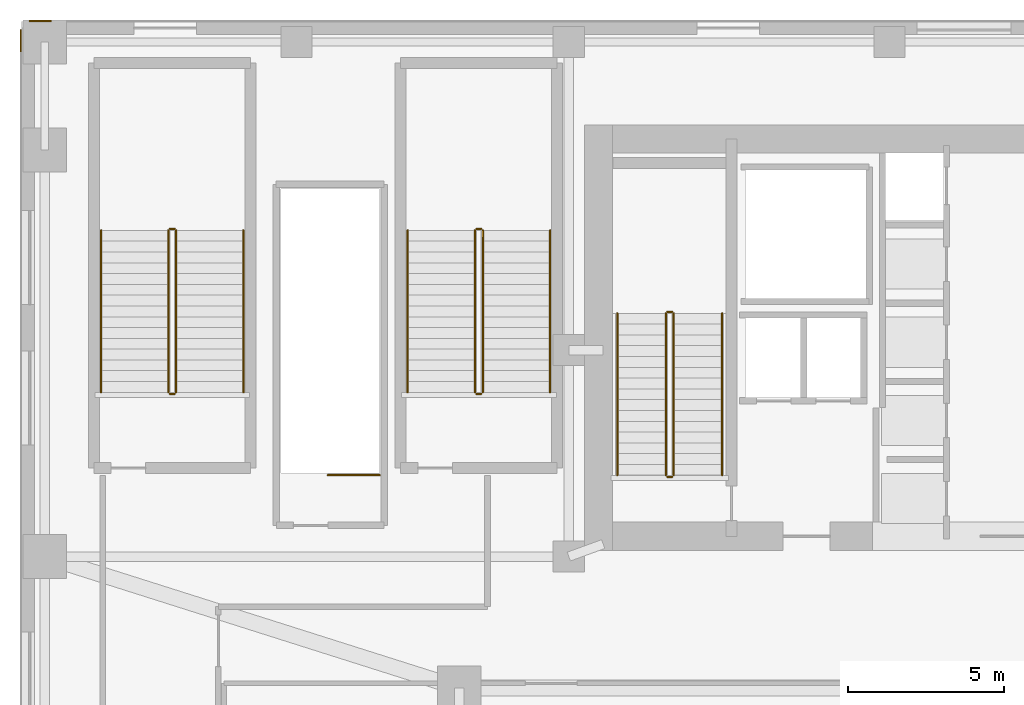
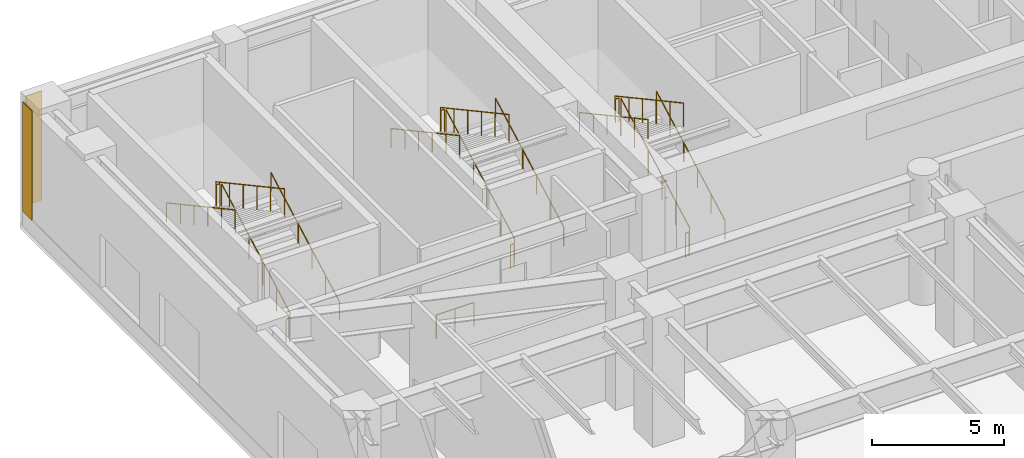
# One storey, part 24 of 28: 19 railings, 2 coverings.
"""IFC4 building model written with IfcOpenShell, lengths in metres."""

from ifc_helpers import new_model, si_unit, direction, frame, origin, origin_2d, place, context, subcontext, project, spatial, polyline, circle, outline, extrude, material, layer, layer_set, type_object, element, save


model = new_model("IFC4")

# Units and contexts
model_context = context("Model", 3, precision=1e-05, world=origin(), true_north=direction((0.0, 1.0)))
body_context = subcontext(model_context, "Body", "Model", "MODEL_VIEW")
ifc_project = project(units=[si_unit("LENGTHUNIT", "METRE"), si_unit("AREAUNIT", "SQUARE_METRE"), si_unit("VOLUMEUNIT", "CUBIC_METRE"), si_unit("PLANEANGLEUNIT", "RADIAN"), si_unit("MASSUNIT", "GRAM", prefix="KILO")], contexts=[model_context])

# Site, building, storey
site_placement = place(None, origin())
site = spatial("IfcSite", under=ifc_project, at=site_placement, CompositionType="ELEMENT")
building_placement = place(site_placement, origin())
building = spatial("IfcBuilding", under=site, at=building_placement, Name="Tolvann Quenvar Hotel", CompositionType="ELEMENT")
storey_placement = place(building_placement, origin())
storey = spatial("IfcBuildingStorey", under=building, at=storey_placement, Name="L00", CompositionType="ELEMENT", Elevation=0.0)

# Coverings
ifc_material_1 = material(Name="Kiln-fired red architectural face brick cladding", Category="masonry")
ifc_layer = layer(ifc_material_1, 0.0400390625)
ifc_layer_set = layer_set([ifc_layer], Name="Kiln-fired red architectural face brick cladding")
covering_type = type_object("IfcCoveringType", Name="COV_CLAD_BRICK_40", PredefinedType="CLADDING", material=ifc_layer_set)
covering_1_placement = place(storey_placement, frame((0.0, 0.0, 0.699951171875)))
element("IfcCovering", 1, at=covering_1_placement, inside=storey, type_object=covering_type, Name="Brick Pier Cladding (L00-E06-P2)", PredefinedType="CLADDING", context=body_context, shape_type="SweptSolid", body=[
    extrude(outline(polyline([(-7.43994140625, 48.5), (-8.139892578125, 48.5), (-8.139892578125, 48.5400390625), (-7.43994140625, 48.5400390625), (-7.43994140625, 48.5)])), origin(), (0.0, 0.0, 1.0), 5.0400390625),
])
covering_2_placement = place(storey_placement, frame((0.0, 0.0, 0.699951171875)))
element("IfcCovering", 2, at=covering_2_placement, inside=storey, type_object=covering_type, Name="Brick Pier Cladding (L00-E07-P1)", PredefinedType="CLADDING", context=body_context, shape_type="SweptSolid", body=[
    extrude(outline(polyline([(-8.39990234375, 48.239990234375), (-8.39990234375, 47.5400390625), (-8.43994140625, 47.5400390625), (-8.43994140625, 48.239990234375), (-8.39990234375, 48.239990234375)])), origin(), (0.0, 0.0, 1.0), 5.0400390625),
])

# Railings
ifc_material_2 = material(Name="Brushed 316 stainless steel balustrade and handrail", Category="steel")
railing_type_1 = type_object("IfcRailingType", Name="GUARDRAIL", PredefinedType="GUARDRAIL", material=ifc_material_2)
railing_1_placement = place(storey_placement, frame((3.050048828125, 34.0, 0.0)))
element("IfcRailing", 3, at=railing_1_placement, inside=storey, type_object=railing_type_1, Name="L00 ST-B1 top well guard 1", PredefinedType="GUARDRAIL", context=body_context, shape_type="SweptSolid", body=[
    extrude(circle(Radius=0.02392578125, at=origin_2d()), frame((0.0, 0.0, 1.09619140625), z_axis=(-1.0, 0.0, 0.0), x_axis=(0.0, -1.0, 0.0)), (0.0, 0.0, 1.0), 1.650146484375),
    extrude(circle(Radius=0.02099609375, at=origin_2d()), origin(), (0.0, 0.0, 1.0), 1.072021484375),
    extrude(circle(Radius=0.02099609375, at=origin_2d()), frame((-0.8251953125, 0.0, 0.0)), (0.0, 0.0, 1.0), 1.072021484375),
    extrude(circle(Radius=0.02099609375, at=origin_2d()), frame((-1.650146484375, 0.0, 0.0)), (0.0, 0.0, 1.0), 1.072021484375),
])
railing_2_placement = place(storey_placement, frame((12.449951171875, 34.0, 0.1875)))
element("IfcRailing", 4, at=railing_2_placement, inside=storey, type_object=railing_type_1, Name="L00 ST-C1 stair guard 1", PredefinedType="GUARDRAIL", context=body_context, shape_type="SweptSolid", body=[
    extrude(circle(Radius=0.02392578125, at=origin_2d()), frame((0.0, 0.0, 1.09619140625), z_axis=(0.0, 0.878626399866, 0.477509842263), x_axis=(-1.0, 0.0, 0.0)), (0.0, 0.0, 1.0), 5.889892578125),
    extrude(circle(Radius=0.02099609375, at=origin_2d()), origin(), (0.0, 0.0, 1.0), 1.072021484375),
    extrude(circle(Radius=0.02099609375, at=origin_2d()), frame((0.0, 1.034912109375, 0.5625)), (0.0, 0.0, 1.0), 1.072021484375),
    extrude(circle(Radius=0.02099609375, at=origin_2d()), frame((0.0, 2.070068359375, 1.125)), (0.0, 0.0, 1.0), 1.072021484375),
    extrude(circle(Radius=0.02099609375, at=origin_2d()), frame((0.0, 3.10498046875, 1.6875)), (0.0, 0.0, 1.0), 1.072021484375),
    extrude(circle(Radius=0.02099609375, at=origin_2d()), frame((0.0, 4.14013671875, 2.25)), (0.0, 0.0, 1.0), 1.072021484375),
    extrude(circle(Radius=0.02099609375, at=origin_2d()), frame((0.0, 5.175048828125, 2.8125)), (0.0, 0.0, 1.0), 1.072021484375),
])
railing_3_placement = place(storey_placement, frame((12.39990234375, 39.22509765625, 3.0)))
element("IfcRailing", 5, at=railing_3_placement, inside=storey, type_object=railing_type_1, Name="L00 ST-C1 stair guard 2", PredefinedType="GUARDRAIL", context=body_context, shape_type="SweptSolid", body=[
    extrude(circle(Radius=0.02392578125, at=origin_2d()), frame((0.0, 0.0, 1.09619140625), z_axis=(-1.0, 0.0, 0.0), x_axis=(0.0, -1.0, 0.0)), (0.0, 0.0, 1.0), 0.14990234375),
    extrude(circle(Radius=0.02099609375, at=origin_2d()), origin(), (0.0, 0.0, 1.0), 1.072021484375),
    extrude(circle(Radius=0.02099609375, at=origin_2d()), frame((-0.14990234375, 0.0, 0.0)), (0.0, 0.0, 1.0), 1.072021484375),
])
railing_4_placement = place(storey_placement, frame((12.199951171875, 39.175048828125, 3.1875)))
element("IfcRailing", 6, at=railing_4_placement, inside=storey, type_object=railing_type_1, Name="L00 ST-C1 stair guard 3", PredefinedType="GUARDRAIL", context=body_context, shape_type="SweptSolid", body=[
    extrude(circle(Radius=0.02392578125, at=origin_2d()), frame((0.0, 0.0, 1.09619140625), z_axis=(0.0, -0.878626399866, 0.477509842263), x_axis=(1.0, 0.0, 0.0)), (0.0, 0.0, 1.0), 5.889892578125),
    extrude(circle(Radius=0.02099609375, at=origin_2d()), origin(), (0.0, 0.0, 1.0), 1.072021484375),
    extrude(circle(Radius=0.02099609375, at=origin_2d()), frame((0.0, -1.034912109375, 0.5625)), (0.0, 0.0, 1.0), 1.072021484375),
    extrude(circle(Radius=0.02099609375, at=origin_2d()), frame((0.0, -2.070068359375, 1.125)), (0.0, 0.0, 1.0), 1.072021484375),
    extrude(circle(Radius=0.02099609375, at=origin_2d()), frame((0.0, -3.10498046875, 1.6875)), (0.0, 0.0, 1.0), 1.072021484375),
    extrude(circle(Radius=0.02099609375, at=origin_2d()), frame((0.0, -4.14013671875, 2.25)), (0.0, 0.0, 1.0), 1.072021484375),
    extrude(circle(Radius=0.02099609375, at=origin_2d()), frame((0.0, -5.175048828125, 2.8125)), (0.0, 0.0, 1.0), 1.072021484375),
])
railing_5_placement = place(storey_placement, frame((12.39990234375, 33.949951171875, 0.0)))
element("IfcRailing", 7, at=railing_5_placement, inside=storey, type_object=railing_type_1, Name="L00 ST-C1 stair guard 4", PredefinedType="GUARDRAIL", context=body_context, shape_type="SweptSolid", body=[
    extrude(circle(Radius=0.02392578125, at=origin_2d()), frame((0.0, 0.0, 1.09619140625), z_axis=(-1.0, 0.0, 0.0), x_axis=(0.0, -1.0, 0.0)), (0.0, 0.0, 1.0), 0.14990234375),
    extrude(circle(Radius=0.02099609375, at=origin_2d()), origin(), (0.0, 0.0, 1.0), 1.072021484375),
    extrude(circle(Radius=0.02099609375, at=origin_2d()), frame((-0.14990234375, 0.0, 0.0)), (0.0, 0.0, 1.0), 1.072021484375),
])
railing_6_placement = place(storey_placement, frame((-3.449951171875, 36.64990234375, 0.1875)))
element("IfcRailing", 8, at=railing_6_placement, inside=storey, type_object=railing_type_1, Name="L00 ST-P1 stair guard 1", PredefinedType="GUARDRAIL", context=body_context, shape_type="SweptSolid", body=[
    extrude(circle(Radius=0.02392578125, at=origin_2d()), frame((0.0, 0.0, 1.09619140625), z_axis=(0.0, 0.878626399866, 0.477509842263), x_axis=(-1.0, 0.0, 0.0)), (0.0, 0.0, 1.0), 5.889892578125),
    extrude(circle(Radius=0.02099609375, at=origin_2d()), origin(), (0.0, 0.0, 1.0), 1.072021484375),
    extrude(circle(Radius=0.02099609375, at=origin_2d()), frame((0.0, 1.034912109375, 0.5625)), (0.0, 0.0, 1.0), 1.072021484375),
    extrude(circle(Radius=0.02099609375, at=origin_2d()), frame((0.0, 2.070068359375, 1.125)), (0.0, 0.0, 1.0), 1.072021484375),
    extrude(circle(Radius=0.02099609375, at=origin_2d()), frame((0.0, 3.10498046875, 1.6875)), (0.0, 0.0, 1.0), 1.072021484375),
    extrude(circle(Radius=0.02099609375, at=origin_2d()), frame((0.0, 4.14013671875, 2.25)), (0.0, 0.0, 1.0), 1.072021484375),
    extrude(circle(Radius=0.02099609375, at=origin_2d()), frame((0.0, 5.175048828125, 2.8125)), (0.0, 0.0, 1.0), 1.072021484375),
])
railing_7_placement = place(storey_placement, frame((-3.5, 41.875, 3.0)))
element("IfcRailing", 9, at=railing_7_placement, inside=storey, type_object=railing_type_1, Name="L00 ST-P1 stair guard 2", PredefinedType="GUARDRAIL", context=body_context, shape_type="SweptSolid", body=[
    extrude(circle(Radius=0.02392578125, at=origin_2d()), frame((0.0, 0.0, 1.09619140625), z_axis=(-1.0, 0.0, 0.0), x_axis=(0.0, -1.0, 0.0)), (0.0, 0.0, 1.0), 0.14990234375),
    extrude(circle(Radius=0.02099609375, at=origin_2d()), origin(), (0.0, 0.0, 1.0), 1.072021484375),
    extrude(circle(Radius=0.02099609375, at=origin_2d()), frame((-0.14990234375, 0.0, 0.0)), (0.0, 0.0, 1.0), 1.072021484375),
])
railing_8_placement = place(storey_placement, frame((-3.699951171875, 41.824951171875, 3.1875)))
element("IfcRailing", 10, at=railing_8_placement, inside=storey, type_object=railing_type_1, Name="L00 ST-P1 stair guard 3", PredefinedType="GUARDRAIL", context=body_context, shape_type="SweptSolid", body=[
    extrude(circle(Radius=0.02392578125, at=origin_2d()), frame((0.0, 0.0, 1.09619140625), z_axis=(0.0, -0.878626399866, 0.477509842263), x_axis=(1.0, 0.0, 0.0)), (0.0, 0.0, 1.0), 5.889892578125),
    extrude(circle(Radius=0.02099609375, at=origin_2d()), origin(), (0.0, 0.0, 1.0), 1.072021484375),
    extrude(circle(Radius=0.02099609375, at=origin_2d()), frame((0.0, -1.034912109375, 0.5625)), (0.0, 0.0, 1.0), 1.072021484375),
    extrude(circle(Radius=0.02099609375, at=origin_2d()), frame((0.0, -2.070068359375, 1.125)), (0.0, 0.0, 1.0), 1.072021484375),
    extrude(circle(Radius=0.02099609375, at=origin_2d()), frame((0.0, -3.10498046875, 1.6875)), (0.0, 0.0, 1.0), 1.072021484375),
    extrude(circle(Radius=0.02099609375, at=origin_2d()), frame((0.0, -4.14013671875, 2.25)), (0.0, 0.0, 1.0), 1.072021484375),
    extrude(circle(Radius=0.02099609375, at=origin_2d()), frame((0.0, -5.175048828125, 2.8125)), (0.0, 0.0, 1.0), 1.072021484375),
])
railing_9_placement = place(storey_placement, frame((-3.5, 36.60009765625, 0.0)))
element("IfcRailing", 11, at=railing_9_placement, inside=storey, type_object=railing_type_1, Name="L00 ST-P1 stair guard 4", PredefinedType="GUARDRAIL", context=body_context, shape_type="SweptSolid", body=[
    extrude(circle(Radius=0.02392578125, at=origin_2d()), frame((0.0, 0.0, 1.09619140625), z_axis=(-1.0, 0.0, 0.0), x_axis=(0.0, -1.0, 0.0)), (0.0, 0.0, 1.0), 0.14990234375),
    extrude(circle(Radius=0.02099609375, at=origin_2d()), origin(), (0.0, 0.0, 1.0), 1.072021484375),
    extrude(circle(Radius=0.02099609375, at=origin_2d()), frame((-0.14990234375, 0.0, 0.0)), (0.0, 0.0, 1.0), 1.072021484375),
])
railing_10_placement = place(storey_placement, frame((6.35009765625, 36.64990234375, 0.1875)))
element("IfcRailing", 12, at=railing_10_placement, inside=storey, type_object=railing_type_1, Name="L00 ST-P2 stair guard 1", PredefinedType="GUARDRAIL", context=body_context, shape_type="SweptSolid", body=[
    extrude(circle(Radius=0.02392578125, at=origin_2d()), frame((0.0, 0.0, 1.09619140625), z_axis=(0.0, 0.878626399866, 0.477509842263), x_axis=(-1.0, 0.0, 0.0)), (0.0, 0.0, 1.0), 5.889892578125),
    extrude(circle(Radius=0.02099609375, at=origin_2d()), origin(), (0.0, 0.0, 1.0), 1.072021484375),
    extrude(circle(Radius=0.02099609375, at=origin_2d()), frame((0.0, 1.034912109375, 0.5625)), (0.0, 0.0, 1.0), 1.072021484375),
    extrude(circle(Radius=0.02099609375, at=origin_2d()), frame((0.0, 2.070068359375, 1.125)), (0.0, 0.0, 1.0), 1.072021484375),
    extrude(circle(Radius=0.02099609375, at=origin_2d()), frame((0.0, 3.10498046875, 1.6875)), (0.0, 0.0, 1.0), 1.072021484375),
    extrude(circle(Radius=0.02099609375, at=origin_2d()), frame((0.0, 4.14013671875, 2.25)), (0.0, 0.0, 1.0), 1.072021484375),
    extrude(circle(Radius=0.02099609375, at=origin_2d()), frame((0.0, 5.175048828125, 2.8125)), (0.0, 0.0, 1.0), 1.072021484375),
])
railing_11_placement = place(storey_placement, frame((6.300048828125, 41.875, 3.0)))
element("IfcRailing", 13, at=railing_11_placement, inside=storey, type_object=railing_type_1, Name="L00 ST-P2 stair guard 2", PredefinedType="GUARDRAIL", context=body_context, shape_type="SweptSolid", body=[
    extrude(circle(Radius=0.02392578125, at=origin_2d()), frame((0.0, 0.0, 1.09619140625), z_axis=(-1.0, 0.0, 0.0), x_axis=(0.0, -1.0, 0.0)), (0.0, 0.0, 1.0), 0.150146484375),
    extrude(circle(Radius=0.02099609375, at=origin_2d()), origin(), (0.0, 0.0, 1.0), 1.072021484375),
    extrude(circle(Radius=0.02099609375, at=origin_2d()), frame((-0.150146484375, 0.0, 0.0)), (0.0, 0.0, 1.0), 1.072021484375),
])
railing_12_placement = place(storey_placement, frame((6.10009765625, 41.824951171875, 3.1875)))
element("IfcRailing", 14, at=railing_12_placement, inside=storey, type_object=railing_type_1, Name="L00 ST-P2 stair guard 3", PredefinedType="GUARDRAIL", context=body_context, shape_type="SweptSolid", body=[
    extrude(circle(Radius=0.02392578125, at=origin_2d()), frame((0.0, 0.0, 1.09619140625), z_axis=(0.0, -0.878626399866, 0.477509842263), x_axis=(1.0, 0.0, 0.0)), (0.0, 0.0, 1.0), 5.889892578125),
    extrude(circle(Radius=0.02099609375, at=origin_2d()), origin(), (0.0, 0.0, 1.0), 1.072021484375),
    extrude(circle(Radius=0.02099609375, at=origin_2d()), frame((0.0, -1.034912109375, 0.5625)), (0.0, 0.0, 1.0), 1.072021484375),
    extrude(circle(Radius=0.02099609375, at=origin_2d()), frame((0.0, -2.070068359375, 1.125)), (0.0, 0.0, 1.0), 1.072021484375),
    extrude(circle(Radius=0.02099609375, at=origin_2d()), frame((0.0, -3.10498046875, 1.6875)), (0.0, 0.0, 1.0), 1.072021484375),
    extrude(circle(Radius=0.02099609375, at=origin_2d()), frame((0.0, -4.14013671875, 2.25)), (0.0, 0.0, 1.0), 1.072021484375),
    extrude(circle(Radius=0.02099609375, at=origin_2d()), frame((0.0, -5.175048828125, 2.8125)), (0.0, 0.0, 1.0), 1.072021484375),
])
railing_13_placement = place(storey_placement, frame((6.300048828125, 36.60009765625, 0.0)))
element("IfcRailing", 15, at=railing_13_placement, inside=storey, type_object=railing_type_1, Name="L00 ST-P2 stair guard 4", PredefinedType="GUARDRAIL", context=body_context, shape_type="SweptSolid", body=[
    extrude(circle(Radius=0.02392578125, at=origin_2d()), frame((0.0, 0.0, 1.09619140625), z_axis=(-1.0, 0.0, 0.0), x_axis=(0.0, -1.0, 0.0)), (0.0, 0.0, 1.0), 0.150146484375),
    extrude(circle(Radius=0.02099609375, at=origin_2d()), origin(), (0.0, 0.0, 1.0), 1.072021484375),
    extrude(circle(Radius=0.02099609375, at=origin_2d()), frame((-0.150146484375, 0.0, 0.0)), (0.0, 0.0, 1.0), 1.072021484375),
])
railing_type_2 = type_object("IfcRailingType", Name="HANDRAIL", PredefinedType="HANDRAIL", material=ifc_material_2)
railing_14_placement = place(storey_placement, frame((14.0, 34.0, 0.1875)))
element("IfcRailing", 16, at=railing_14_placement, inside=storey, type_object=railing_type_2, Name="L00 ST-C1 stair handrail 1", PredefinedType="HANDRAIL", context=body_context, shape_type="SweptSolid", body=[
    extrude(circle(Radius=0.02392578125, at=origin_2d()), frame((0.0, 0.0, 0.8759765625), z_axis=(0.0, 0.878626399866, 0.477509842263), x_axis=(-1.0, 0.0, 0.0)), (0.0, 0.0, 1.0), 5.889892578125),
    extrude(circle(Radius=0.02099609375, at=origin_2d()), origin(), (0.0, 0.0, 1.0), 0.851806640625),
    extrude(circle(Radius=0.02099609375, at=origin_2d()), frame((0.0, 1.034912109375, 0.5625)), (0.0, 0.0, 1.0), 0.851806640625),
    extrude(circle(Radius=0.02099609375, at=origin_2d()), frame((0.0, 2.070068359375, 1.125)), (0.0, 0.0, 1.0), 0.851806640625),
    extrude(circle(Radius=0.02099609375, at=origin_2d()), frame((0.0, 3.10498046875, 1.6875)), (0.0, 0.0, 1.0), 0.851806640625),
    extrude(circle(Radius=0.02099609375, at=origin_2d()), frame((0.0, 4.14013671875, 2.25)), (0.0, 0.0, 1.0), 0.851806640625),
    extrude(circle(Radius=0.02099609375, at=origin_2d()), frame((0.0, 5.175048828125, 2.8125)), (0.0, 0.0, 1.0), 0.851806640625),
])
railing_15_placement = place(storey_placement, frame((10.64990234375, 39.175048828125, 3.1875)))
element("IfcRailing", 17, at=railing_15_placement, inside=storey, type_object=railing_type_2, Name="L00 ST-C1 stair handrail 2", PredefinedType="HANDRAIL", context=body_context, shape_type="SweptSolid", body=[
    extrude(circle(Radius=0.02392578125, at=origin_2d()), frame((0.0, 0.0, 0.8759765625), z_axis=(0.0, -0.878626399866, 0.477509842263), x_axis=(1.0, 0.0, 0.0)), (0.0, 0.0, 1.0), 5.889892578125),
    extrude(circle(Radius=0.02099609375, at=origin_2d()), origin(), (0.0, 0.0, 1.0), 0.851806640625),
    extrude(circle(Radius=0.02099609375, at=origin_2d()), frame((0.0, -1.034912109375, 0.5625)), (0.0, 0.0, 1.0), 0.851806640625),
    extrude(circle(Radius=0.02099609375, at=origin_2d()), frame((0.0, -2.070068359375, 1.125)), (0.0, 0.0, 1.0), 0.851806640625),
    extrude(circle(Radius=0.02099609375, at=origin_2d()), frame((0.0, -3.10498046875, 1.6875)), (0.0, 0.0, 1.0), 0.851806640625),
    extrude(circle(Radius=0.02099609375, at=origin_2d()), frame((0.0, -4.14013671875, 2.25)), (0.0, 0.0, 1.0), 0.851806640625),
    extrude(circle(Radius=0.02099609375, at=origin_2d()), frame((0.0, -5.175048828125, 2.8125)), (0.0, 0.0, 1.0), 0.851806640625),
])
railing_16_placement = place(storey_placement, frame((-1.300048828125, 36.64990234375, 0.1875)))
element("IfcRailing", 18, at=railing_16_placement, inside=storey, type_object=railing_type_2, Name="L00 ST-P1 stair handrail 1", PredefinedType="HANDRAIL", context=body_context, shape_type="SweptSolid", body=[
    extrude(circle(Radius=0.02392578125, at=origin_2d()), frame((0.0, 0.0, 0.8759765625), z_axis=(0.0, 0.878626399866, 0.477509842263), x_axis=(-1.0, 0.0, 0.0)), (0.0, 0.0, 1.0), 5.889892578125),
    extrude(circle(Radius=0.02099609375, at=origin_2d()), origin(), (0.0, 0.0, 1.0), 0.851806640625),
    extrude(circle(Radius=0.02099609375, at=origin_2d()), frame((0.0, 1.034912109375, 0.5625)), (0.0, 0.0, 1.0), 0.851806640625),
    extrude(circle(Radius=0.02099609375, at=origin_2d()), frame((0.0, 2.070068359375, 1.125)), (0.0, 0.0, 1.0), 0.851806640625),
    extrude(circle(Radius=0.02099609375, at=origin_2d()), frame((0.0, 3.10498046875, 1.6875)), (0.0, 0.0, 1.0), 0.851806640625),
    extrude(circle(Radius=0.02099609375, at=origin_2d()), frame((0.0, 4.14013671875, 2.25)), (0.0, 0.0, 1.0), 0.851806640625),
    extrude(circle(Radius=0.02099609375, at=origin_2d()), frame((0.0, 5.175048828125, 2.8125)), (0.0, 0.0, 1.0), 0.851806640625),
])
railing_17_placement = place(storey_placement, frame((-5.85009765625, 41.824951171875, 3.1875)))
element("IfcRailing", 19, at=railing_17_placement, inside=storey, type_object=railing_type_2, Name="L00 ST-P1 stair handrail 2", PredefinedType="HANDRAIL", context=body_context, shape_type="SweptSolid", body=[
    extrude(circle(Radius=0.02392578125, at=origin_2d()), frame((0.0, 0.0, 0.8759765625), z_axis=(0.0, -0.878626399866, 0.477509842263), x_axis=(1.0, 0.0, 0.0)), (0.0, 0.0, 1.0), 5.889892578125),
    extrude(circle(Radius=0.02099609375, at=origin_2d()), origin(), (0.0, 0.0, 1.0), 0.851806640625),
    extrude(circle(Radius=0.02099609375, at=origin_2d()), frame((0.0, -1.034912109375, 0.5625)), (0.0, 0.0, 1.0), 0.851806640625),
    extrude(circle(Radius=0.02099609375, at=origin_2d()), frame((0.0, -2.070068359375, 1.125)), (0.0, 0.0, 1.0), 0.851806640625),
    extrude(circle(Radius=0.02099609375, at=origin_2d()), frame((0.0, -3.10498046875, 1.6875)), (0.0, 0.0, 1.0), 0.851806640625),
    extrude(circle(Radius=0.02099609375, at=origin_2d()), frame((0.0, -4.14013671875, 2.25)), (0.0, 0.0, 1.0), 0.851806640625),
    extrude(circle(Radius=0.02099609375, at=origin_2d()), frame((0.0, -5.175048828125, 2.8125)), (0.0, 0.0, 1.0), 0.851806640625),
])
railing_18_placement = place(storey_placement, frame((8.5, 36.64990234375, 0.1875)))
element("IfcRailing", 20, at=railing_18_placement, inside=storey, type_object=railing_type_2, Name="L00 ST-P2 stair handrail 1", PredefinedType="HANDRAIL", context=body_context, shape_type="SweptSolid", body=[
    extrude(circle(Radius=0.02392578125, at=origin_2d()), frame((0.0, 0.0, 0.8759765625), z_axis=(0.0, 0.878626399866, 0.477509842263), x_axis=(-1.0, 0.0, 0.0)), (0.0, 0.0, 1.0), 5.889892578125),
    extrude(circle(Radius=0.02099609375, at=origin_2d()), origin(), (0.0, 0.0, 1.0), 0.851806640625),
    extrude(circle(Radius=0.02099609375, at=origin_2d()), frame((0.0, 1.034912109375, 0.5625)), (0.0, 0.0, 1.0), 0.851806640625),
    extrude(circle(Radius=0.02099609375, at=origin_2d()), frame((0.0, 2.070068359375, 1.125)), (0.0, 0.0, 1.0), 0.851806640625),
    extrude(circle(Radius=0.02099609375, at=origin_2d()), frame((0.0, 3.10498046875, 1.6875)), (0.0, 0.0, 1.0), 0.851806640625),
    extrude(circle(Radius=0.02099609375, at=origin_2d()), frame((0.0, 4.14013671875, 2.25)), (0.0, 0.0, 1.0), 0.851806640625),
    extrude(circle(Radius=0.02099609375, at=origin_2d()), frame((0.0, 5.175048828125, 2.8125)), (0.0, 0.0, 1.0), 0.851806640625),
])
railing_19_placement = place(storey_placement, frame((3.949951171875, 41.824951171875, 3.1875)))
element("IfcRailing", 21, at=railing_19_placement, inside=storey, type_object=railing_type_2, Name="L00 ST-P2 stair handrail 2", PredefinedType="HANDRAIL", context=body_context, shape_type="SweptSolid", body=[
    extrude(circle(Radius=0.02392578125, at=origin_2d()), frame((0.0, 0.0, 0.8759765625), z_axis=(0.0, -0.878626399866, 0.477509842263), x_axis=(1.0, 0.0, 0.0)), (0.0, 0.0, 1.0), 5.889892578125),
    extrude(circle(Radius=0.02099609375, at=origin_2d()), origin(), (0.0, 0.0, 1.0), 0.851806640625),
    extrude(circle(Radius=0.02099609375, at=origin_2d()), frame((0.0, -1.034912109375, 0.5625)), (0.0, 0.0, 1.0), 0.851806640625),
    extrude(circle(Radius=0.02099609375, at=origin_2d()), frame((0.0, -2.070068359375, 1.125)), (0.0, 0.0, 1.0), 0.851806640625),
    extrude(circle(Radius=0.02099609375, at=origin_2d()), frame((0.0, -3.10498046875, 1.6875)), (0.0, 0.0, 1.0), 0.851806640625),
    extrude(circle(Radius=0.02099609375, at=origin_2d()), frame((0.0, -4.14013671875, 2.25)), (0.0, 0.0, 1.0), 0.851806640625),
    extrude(circle(Radius=0.02099609375, at=origin_2d()), frame((0.0, -5.175048828125, 2.8125)), (0.0, 0.0, 1.0), 0.851806640625),
])

save(model, "model.ifc")
